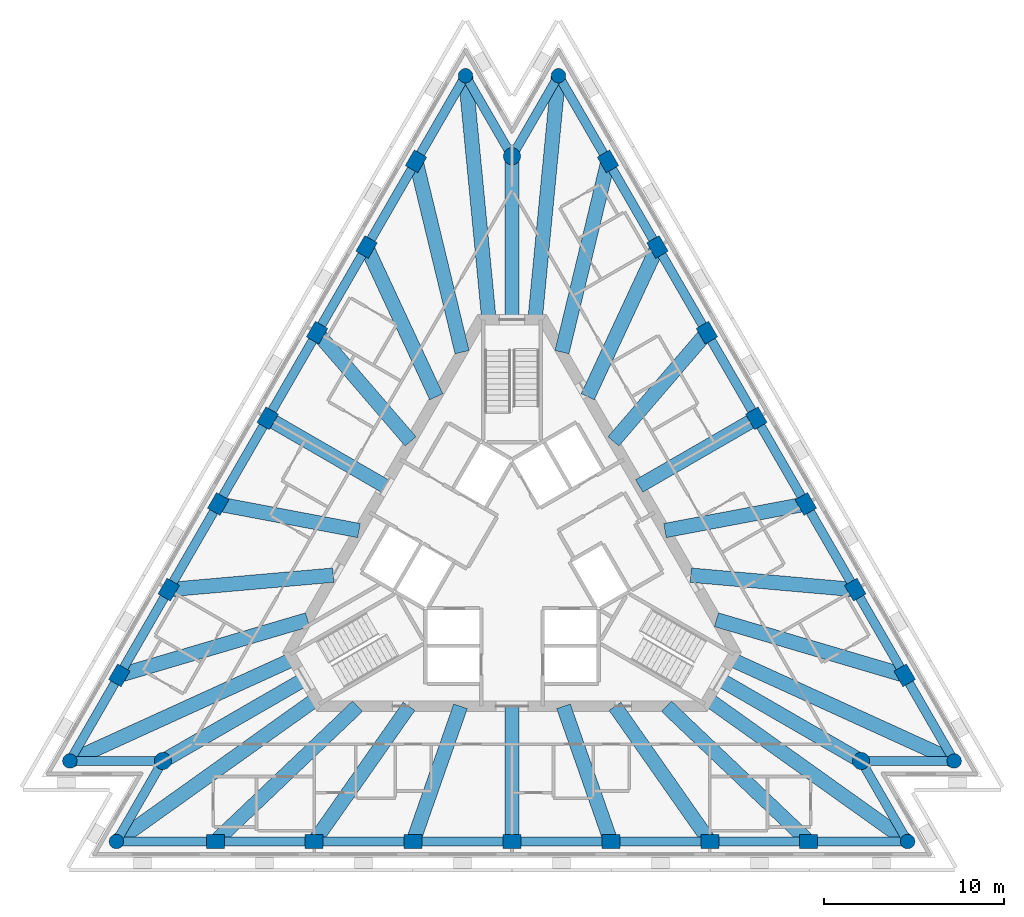
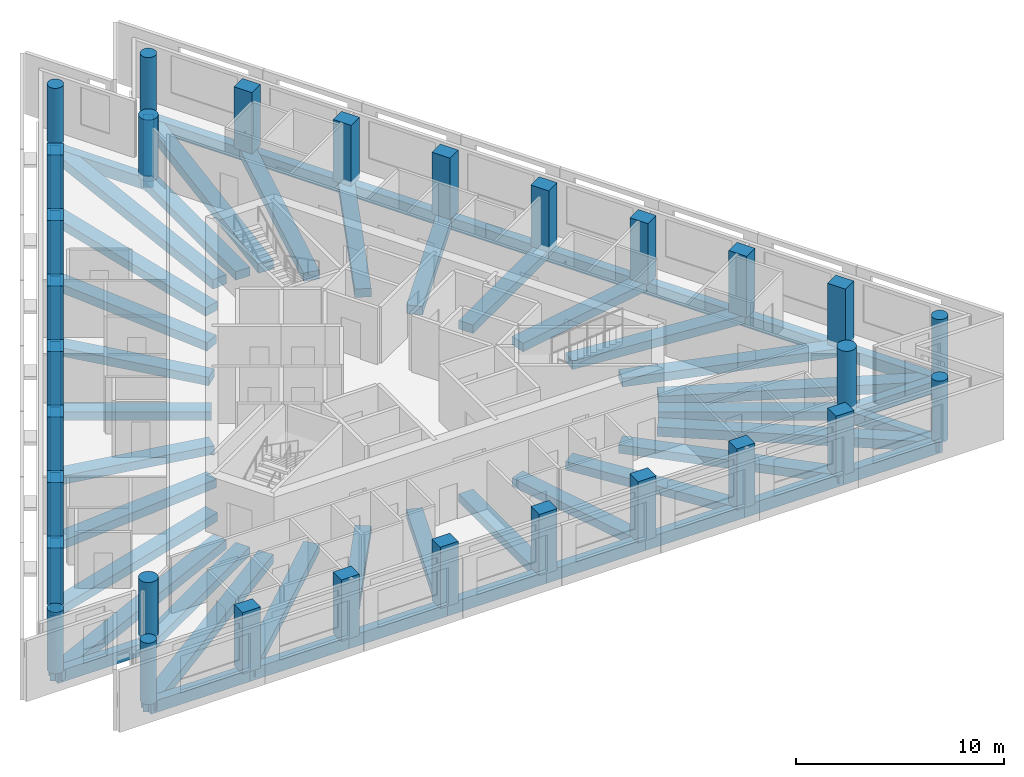
# One storey, part 1 of 9: 60 beams, 30 columns.
"""IFC4 building model written with IfcOpenShell, lengths in metres."""

from ifc_helpers import new_model, si_unit, direction, frame, origin, origin_2d, place, context, subcontext, project, spatial, rectangle, circle, extrude, material, material_profile, profile_set, type_object, element, save


model = new_model("IFC4")

# Units and contexts
model_context = context("Model", 3, precision=1e-05, world=origin(), true_north=direction((0.0, 1.0)))
body_context = subcontext(model_context, "Body", "Model", "MODEL_VIEW")
ifc_project = project(units=[si_unit("LENGTHUNIT", "METRE"), si_unit("AREAUNIT", "SQUARE_METRE"), si_unit("VOLUMEUNIT", "CUBIC_METRE"), si_unit("PLANEANGLEUNIT", "RADIAN"), si_unit("MASSUNIT", "GRAM", prefix="KILO")], contexts=[model_context])

# Site, building, storey
site_placement = place(None, origin())
site = spatial("IfcSite", under=ifc_project, at=site_placement, CompositionType="ELEMENT")
building_placement = place(site_placement, origin())
building = spatial("IfcBuilding", under=site, at=building_placement, Name="Triada Interchange Tower", CompositionType="ELEMENT")
storey_placement = place(building_placement, frame((0.0, 0.0, 279.10009765625)))
storey = spatial("IfcBuildingStorey", under=building, at=storey_placement, Name="L65", CompositionType="ELEMENT", Elevation=279.10009765625)

# Columns
ifc_material_1 = material(Name="Concrete C40/50", Category="concrete")
ifc_material_profile_1 = material_profile(ifc_material_1, rectangle(XDim=1.0, YDim=0.800048828125, at=origin_2d()), Name="RC 1000x800")
ifc_profile_set_1 = profile_set([ifc_material_profile_1], Name="Concrete C40/50")
column_type_1 = type_object("IfcColumnType", Name="Column D face RC 1000x800", PredefinedType="COLUMN", material=ifc_profile_set_1)
for number, where, z_axis, x_axis, name in (
    (1, (-5.324951171875, 22.0849609375, -0.300048828125), (0.0, 0.0, 1.0), (0.5, 0.866025403784, 0.0), "Column CD02 L65"),
    (2, (-8.069091796875, 17.3330078125, -0.300048828125), (0.0, 0.0, 1.0), (0.5, 0.866025403784, 0.0), "Column CD03 L65"),
    (3, (-10.81298828125, 12.580078125, -0.300048828125), (0.0, 0.0, 1.0), (0.5, 0.866025403784, 0.0), "Column CD04 L65"),
    (4, (-13.556884765625, 7.826904296875, -0.300048828125), (0.0, 0.0, 1.0), (0.5, 0.866025403784, 0.0), "Column CD05 L65"),
    (5, (-16.301025390625, 3.073974609375, -0.300048828125), (0.0, 0.0, 1.0), (0.5, 0.866025403784, 0.0), "Column CD06 L65"),
    (6, (-19.044921875, -1.677978515625, -0.300048828125), (0.0, 0.0, 1.0), (0.5, 0.866025403784, 0.0), "Column CD07 L65"),
    (7, (-21.7890625, -6.430908203125, -0.300048828125), (0.0, 0.0, 1.0), (0.5, 0.866025403784, 0.0), "Column CD08 L65"),
    (8, (-16.464111328125, -15.654052734375, -0.300048828125), (0.0, 0.0, 1.0), (1.0, 0.0, 0.0), "Column CD11 L65"),
    (9, (-10.97607421875, -15.654052734375, -0.300048828125), (0.0, 0.0, 1.0), (1.0, 0.0, 0.0), "Column CD12 L65"),
    (10, (-5.488037109375, -15.654052734375, -0.300048828125), (0.0, 0.0, 1.0), (1.0, 0.0, 0.0), "Column CD13 L65"),
    (11, (0.0, -15.654052734375, -0.300048828125), (0.0, 0.0, 1.0), (1.0, 0.0, 0.0), "Column CD14 L65"),
    (12, (5.488037109375, -15.654052734375, -0.300048828125), (0.0, 0.0, 1.0), (1.0, 0.0, 0.0), "Column CD15 L65"),
    (13, (10.97607421875, -15.654052734375, -0.300048828125), (0.0, 0.0, 1.0), (1.0, 0.0, 0.0), "Column CD16 L65"),
    (14, (16.464111328125, -15.654052734375, -0.300048828125), (0.0, 0.0, 1.0), (1.0, 0.0, 0.0), "Column CD17 L65"),
    (15, (21.7890625, -6.430908203125, -0.300048828125), (0.0, 0.0, 1.0), (-0.5, 0.866025403784, 0.0), "Column CD20 L65"),
    (16, (19.044921875, -1.677978515625, -0.300048828125), (0.0, 0.0, 1.0), (-0.5, 0.866025403784, 0.0), "Column CD21 L65"),
    (17, (16.301025390625, 3.073974609375, -0.300048828125), (0.0, 0.0, 1.0), (-0.5, 0.866025403784, 0.0), "Column CD22 L65"),
    (18, (13.556884765625, 7.826904296875, -0.300048828125), (0.0, 0.0, 1.0), (-0.5, 0.866025403784, 0.0), "Column CD23 L65"),
    (19, (10.81298828125, 12.580078125, -0.300048828125), (0.0, 0.0, 1.0), (-0.5, 0.866025403784, 0.0), "Column CD24 L65"),
    (20, (8.069091796875, 17.3330078125, -0.300048828125), (0.0, 0.0, 1.0), (-0.5, 0.866025403784, 0.0), "Column CD25 L65"),
    (21, (5.324951171875, 22.0849609375, -0.300048828125), (0.0, 0.0, 1.0), (-0.5, 0.866025403784, 0.0), "Column CD26 L65"),
):
    element("IfcColumn", number, at=place(storey_placement, frame(where, z_axis=z_axis, x_axis=x_axis)), inside=storey, type_object=column_type_1, Name=name, PredefinedType="COLUMN", context=body_context, shape_type="SweptSolid", body=[
        extrude(rectangle(XDim=1.0, YDim=0.800048828125, at=origin_2d()), origin(), (0.0, 0.0, 1.0), 3.599853515625),
    ])
ifc_material_profile_2 = material_profile(ifc_material_1, circle(Radius=0.39990234375, at=origin_2d()), Name="RC D800")
ifc_profile_set_2 = profile_set([ifc_material_profile_2], Name="Concrete C40/50")
column_type_2 = type_object("IfcColumnType", Name="End column D RC D800", PredefinedType="COLUMN", material=ifc_profile_set_2)
for number, where, z_axis, x_axis, name in (
    (22, (-2.5810546875, 26.837890625, -0.300048828125), (0.0, 0.0, 1.0), (0.5, 0.866025403784, 0.0), "Column CD01 L65"),
    (23, (-24.532958984375, -11.18408203125, -0.300048828125), (0.0, 0.0, 1.0), (0.5, 0.866025403784, 0.0), "Column CD09 L65"),
    (24, (-21.951904296875, -15.654052734375, -0.300048828125), (0.0, 0.0, 1.0), (1.0, 0.0, 0.0), "Column CD10 L65"),
    (25, (21.951904296875, -15.654052734375, -0.300048828125), (0.0, 0.0, 1.0), (1.0, 0.0, 0.0), "Column CD18 L65"),
    (26, (24.532958984375, -11.18408203125, -0.300048828125), (0.0, 0.0, 1.0), (-0.5, 0.866025403784, 0.0), "Column CD19 L65"),
    (27, (2.5810546875, 26.837890625, -0.300048828125), (0.0, 0.0, 1.0), (-0.5, 0.866025403784, 0.0), "Column CD27 L65"),
):
    element("IfcColumn", number, at=place(storey_placement, frame(where, z_axis=z_axis, x_axis=x_axis)), inside=storey, type_object=column_type_2, Name=name, PredefinedType="COLUMN", context=body_context, shape_type="SweptSolid", body=[
        extrude(circle(Radius=0.39990234375, at=origin_2d()), origin(), (0.0, 0.0, 1.0), 3.599853515625),
    ])
ifc_material_profile_3 = material_profile(ifc_material_1, circle(Radius=0.47509765625, at=origin_2d()), Name="RC D950")
ifc_profile_set_3 = profile_set([ifc_material_profile_3], Name="Concrete C40/50")
column_type_3 = type_object("IfcColumnType", Name="Mega column D RC D950", PredefinedType="COLUMN", material=ifc_profile_set_3)
for number, where, z_axis, x_axis, name in (
    (28, (0.0, 22.368896484375, -0.300048828125), (0.0, 0.0, 1.0), (1.0, 0.0, 0.0), "Column MD1 L65"),
    (29, (-19.3720703125, -11.18408203125, -0.300048828125), (0.0, 0.0, 1.0), (1.0, 0.0, 0.0), "Column MD2 L65"),
    (30, (19.3720703125, -11.18408203125, -0.300048828125), (0.0, 0.0, 1.0), (1.0, 0.0, 0.0), "Column MD3 L65"),
):
    element("IfcColumn", number, at=place(storey_placement, frame(where, z_axis=z_axis, x_axis=x_axis)), inside=storey, type_object=column_type_3, Name=name, PredefinedType="COLUMN", context=body_context, shape_type="SweptSolid", body=[
        extrude(circle(Radius=0.47509765625, at=origin_2d()), origin(), (0.0, 0.0, 1.0), 3.599853515625),
    ])

# Beams
ifc_material_2 = material(Name="Concrete C50/60", Category="concrete")
ifc_material_profile_4 = material_profile(ifc_material_2, rectangle(XDim=0.800048828125, YDim=0.5, at=origin_2d()), Name="RC 800x500")
ifc_profile_set_4 = profile_set([ifc_material_profile_4], Name="Concrete C50/60")
beam_type_1 = type_object("IfcBeamType", Name="Radial band beam D RC 800x500", PredefinedType="BEAM", material=ifc_profile_set_4)
beam_1_placement = place(storey_placement, frame((-5.324951171875, 22.0849609375, -0.550048828125), z_axis=(0.234425037452, -0.972134199489, 0.0), x_axis=(0.972134199489, 0.234425037452, 0.0)))
element("IfcBeam", 31, at=beam_1_placement, inside=storey, type_object=beam_type_1, Name="Radial band beam BD02 L65", PredefinedType="BEAM", context=body_context, shape_type="SweptSolid", body=[
    extrude(rectangle(XDim=0.800048828125, YDim=0.5, at=origin_2d()), origin(), (0.0, 0.0, 1.0), 10.890380859375),
])
beam_2_placement = place(storey_placement, frame((-8.069091796875, 17.3330078125, -0.550048828125), z_axis=(0.42204241395, -0.906576086618, 0.0), x_axis=(0.906576086618, 0.42204241395, 0.0)))
element("IfcBeam", 32, at=beam_2_placement, inside=storey, type_object=beam_type_1, Name="Radial band beam BD03 L65", PredefinedType="BEAM", context=body_context, shape_type="SweptSolid", body=[
    extrude(rectangle(XDim=0.800048828125, YDim=0.5, at=origin_2d()), origin(), (0.0, 0.0, 1.0), 9.165283203125),
])
beam_3_placement = place(storey_placement, frame((-10.81298828125, 12.580078125, -0.550048828125), z_axis=(0.651852544973, -0.758345738837, 0.0), x_axis=(0.758345738837, 0.651852544973, 0.0)))
element("IfcBeam", 33, at=beam_3_placement, inside=storey, type_object=beam_type_1, Name="Radial band beam BD04 L65", PredefinedType="BEAM", context=body_context, shape_type="SweptSolid", body=[
    extrude(rectangle(XDim=0.800048828125, YDim=0.5, at=origin_2d()), origin(), (0.0, 0.0, 1.0), 7.952880859375),
])
beam_4_placement = place(storey_placement, frame((-13.556884765625, 7.826904296875, -0.550048828125), z_axis=(0.86603226186, -0.499988121277, 0.0), x_axis=(0.499988121277, 0.86603226186, 0.0)))
element("IfcBeam", 34, at=beam_4_placement, inside=storey, type_object=beam_type_1, Name="Radial band beam BD05 L65", PredefinedType="BEAM", context=body_context, shape_type="SweptSolid", body=[
    extrude(rectangle(XDim=0.800048828125, YDim=0.5, at=origin_2d()), origin(), (0.0, 0.0, 1.0), 7.504150390625),
])
beam_5_placement = place(storey_placement, frame((-16.301025390625, 3.073974609375, -0.550048828125), z_axis=(0.982672101043, -0.185352479972, 0.0), x_axis=(0.185352479972, 0.982672101043, 0.0)))
element("IfcBeam", 35, at=beam_5_placement, inside=storey, type_object=beam_type_1, Name="Radial band beam BD06 L65", PredefinedType="BEAM", context=body_context, shape_type="SweptSolid", body=[
    extrude(rectangle(XDim=0.800048828125, YDim=0.5, at=origin_2d()), origin(), (0.0, 0.0, 1.0), 7.95166015625),
])
beam_6_placement = place(storey_placement, frame((-19.044921875, -1.677978515625, -0.550048828125), z_axis=(0.996145337016, 0.087718114098, 0.0), x_axis=(-0.087718114098, 0.996145337016, 0.0)))
element("IfcBeam", 36, at=beam_6_placement, inside=storey, type_object=beam_type_1, Name="Radial band beam BD07 L65", PredefinedType="BEAM", context=body_context, shape_type="SweptSolid", body=[
    extrude(rectangle(XDim=0.800048828125, YDim=0.5, at=origin_2d()), origin(), (0.0, 0.0, 1.0), 9.165283203125),
])
beam_7_placement = place(storey_placement, frame((-21.7890625, -6.430908203125, -0.550048828125), z_axis=(0.959093403857, 0.283089813802, 0.0), x_axis=(-0.283089813802, 0.959093403857, 0.0)))
element("IfcBeam", 37, at=beam_7_placement, inside=storey, type_object=beam_type_1, Name="Radial band beam BD08 L65", PredefinedType="BEAM", context=body_context, shape_type="SweptSolid", body=[
    extrude(rectangle(XDim=0.800048828125, YDim=0.5, at=origin_2d()), origin(), (0.0, 0.0, 1.0), 10.890625),
])
beam_8_placement = place(storey_placement, frame((-19.3720703125, -11.18408203125, -0.550048828125), z_axis=(0.866041235469, 0.499972577716, 0.0), x_axis=(-0.499972577716, 0.866041235469, 0.0)))
element("IfcBeam", 38, at=beam_8_placement, inside=storey, type_object=beam_type_1, Name="Radial band beam BD10 L65", PredefinedType="BEAM", context=body_context, shape_type="SweptSolid", body=[
    extrude(rectangle(XDim=0.800048828125, YDim=0.5, at=origin_2d()), origin(), (0.0, 0.0, 1.0), 9.06884765625),
])
beam_9_placement = place(storey_placement, frame((-16.464111328125, -15.654052734375, -0.550048828125), z_axis=(0.724693754634, 0.689071086314, 0.0), x_axis=(-0.689071086314, 0.724693754634, 0.0)))
element("IfcBeam", 39, at=beam_9_placement, inside=storey, type_object=beam_type_1, Name="Radial band beam BD12 L65", PredefinedType="BEAM", context=body_context, shape_type="SweptSolid", body=[
    extrude(rectangle(XDim=0.800048828125, YDim=0.5, at=origin_2d()), origin(), (0.0, 0.0, 1.0), 10.89013671875),
])
beam_10_placement = place(storey_placement, frame((-10.97607421875, -15.654052734375, -0.550048828125), z_axis=(0.574125420819, 0.818767366942, 0.0), x_axis=(-0.818767366942, 0.574125420819, 0.0)))
element("IfcBeam", 40, at=beam_10_placement, inside=storey, type_object=beam_type_1, Name="Radial band beam BD13 L65", PredefinedType="BEAM", context=body_context, shape_type="SweptSolid", body=[
    extrude(rectangle(XDim=0.800048828125, YDim=0.5, at=origin_2d()), origin(), (0.0, 0.0, 1.0), 9.165283203125),
])
beam_11_placement = place(storey_placement, frame((-5.488037109375, -15.654052734375, -0.550048828125), z_axis=(0.330871413108, 0.943675849001, 0.0), x_axis=(-0.943675849001, 0.330871413108, 0.0)))
element("IfcBeam", 41, at=beam_11_placement, inside=storey, type_object=beam_type_1, Name="Radial band beam BD14 L65", PredefinedType="BEAM", context=body_context, shape_type="SweptSolid", body=[
    extrude(rectangle(XDim=0.800048828125, YDim=0.5, at=origin_2d()), origin(), (0.0, 0.0, 1.0), 7.9521484375),
])
beam_12_placement = place(storey_placement, frame((0.0, -15.654052734375, -0.550048828125), z_axis=(0.0, 1.0, 0.0), x_axis=(-1.0, 0.0, 0.0)))
element("IfcBeam", 42, at=beam_12_placement, inside=storey, type_object=beam_type_1, Name="Radial band beam BD15 L65", PredefinedType="BEAM", context=body_context, shape_type="SweptSolid", body=[
    extrude(rectangle(XDim=0.800048828125, YDim=0.5, at=origin_2d()), origin(), (0.0, 0.0, 1.0), 7.504150390625),
])
beam_13_placement = place(storey_placement, frame((5.488037109375, -15.654052734375, -0.550048828125), z_axis=(-0.330871413108, 0.943675849001, 0.0), x_axis=(-0.943675849001, -0.330871413108, 0.0)))
element("IfcBeam", 43, at=beam_13_placement, inside=storey, type_object=beam_type_1, Name="Radial band beam BD16 L65", PredefinedType="BEAM", context=body_context, shape_type="SweptSolid", body=[
    extrude(rectangle(XDim=0.800048828125, YDim=0.5, at=origin_2d()), origin(), (0.0, 0.0, 1.0), 7.9521484375),
])
beam_14_placement = place(storey_placement, frame((10.97607421875, -15.654052734375, -0.550048828125), z_axis=(-0.574125420819, 0.818767366942, 0.0), x_axis=(-0.818767366942, -0.574125420819, 0.0)))
element("IfcBeam", 44, at=beam_14_placement, inside=storey, type_object=beam_type_1, Name="Radial band beam BD17 L65", PredefinedType="BEAM", context=body_context, shape_type="SweptSolid", body=[
    extrude(rectangle(XDim=0.800048828125, YDim=0.5, at=origin_2d()), origin(), (0.0, 0.0, 1.0), 9.165283203125),
])
beam_15_placement = place(storey_placement, frame((16.464111328125, -15.654052734375, -0.550048828125), z_axis=(-0.724693754634, 0.689071086314, 0.0), x_axis=(-0.689071086314, -0.724693754634, 0.0)))
element("IfcBeam", 45, at=beam_15_placement, inside=storey, type_object=beam_type_1, Name="Radial band beam BD18 L65", PredefinedType="BEAM", context=body_context, shape_type="SweptSolid", body=[
    extrude(rectangle(XDim=0.800048828125, YDim=0.5, at=origin_2d()), origin(), (0.0, 0.0, 1.0), 10.89013671875),
])
beam_16_placement = place(storey_placement, frame((19.3720703125, -11.18408203125, -0.550048828125), z_axis=(-0.866041235469, 0.499972577716, 0.0), x_axis=(-0.499972577716, -0.866041235469, 0.0)))
element("IfcBeam", 46, at=beam_16_placement, inside=storey, type_object=beam_type_1, Name="Radial band beam BD20 L65", PredefinedType="BEAM", context=body_context, shape_type="SweptSolid", body=[
    extrude(rectangle(XDim=0.800048828125, YDim=0.5, at=origin_2d()), origin(), (0.0, 0.0, 1.0), 9.06884765625),
])
beam_17_placement = place(storey_placement, frame((21.7890625, -6.430908203125, -0.550048828125), z_axis=(-0.959093403857, 0.283089813802, 0.0), x_axis=(-0.283089813802, -0.959093403857, 0.0)))
element("IfcBeam", 47, at=beam_17_placement, inside=storey, type_object=beam_type_1, Name="Radial band beam BD22 L65", PredefinedType="BEAM", context=body_context, shape_type="SweptSolid", body=[
    extrude(rectangle(XDim=0.800048828125, YDim=0.5, at=origin_2d()), origin(), (0.0, 0.0, 1.0), 10.890625),
])
beam_18_placement = place(storey_placement, frame((19.044921875, -1.677978515625, -0.550048828125), z_axis=(-0.996145337016, 0.087718114098, 0.0), x_axis=(-0.087718114098, -0.996145337016, 0.0)))
element("IfcBeam", 48, at=beam_18_placement, inside=storey, type_object=beam_type_1, Name="Radial band beam BD23 L65", PredefinedType="BEAM", context=body_context, shape_type="SweptSolid", body=[
    extrude(rectangle(XDim=0.800048828125, YDim=0.5, at=origin_2d()), origin(), (0.0, 0.0, 1.0), 9.165283203125),
])
beam_19_placement = place(storey_placement, frame((16.301025390625, 3.073974609375, -0.550048828125), z_axis=(-0.982672101043, -0.185352479972, 0.0), x_axis=(0.185352479972, -0.982672101043, 0.0)))
element("IfcBeam", 49, at=beam_19_placement, inside=storey, type_object=beam_type_1, Name="Radial band beam BD24 L65", PredefinedType="BEAM", context=body_context, shape_type="SweptSolid", body=[
    extrude(rectangle(XDim=0.800048828125, YDim=0.5, at=origin_2d()), origin(), (0.0, 0.0, 1.0), 7.95166015625),
])
beam_20_placement = place(storey_placement, frame((13.556884765625, 7.826904296875, -0.550048828125), z_axis=(-0.86603226186, -0.499988121277, 0.0), x_axis=(0.499988121277, -0.86603226186, 0.0)))
element("IfcBeam", 50, at=beam_20_placement, inside=storey, type_object=beam_type_1, Name="Radial band beam BD25 L65", PredefinedType="BEAM", context=body_context, shape_type="SweptSolid", body=[
    extrude(rectangle(XDim=0.800048828125, YDim=0.5, at=origin_2d()), origin(), (0.0, 0.0, 1.0), 7.504150390625),
])
beam_21_placement = place(storey_placement, frame((10.81298828125, 12.580078125, -0.550048828125), z_axis=(-0.651852544973, -0.758345738837, 0.0), x_axis=(0.758345738837, -0.651852544973, 0.0)))
element("IfcBeam", 51, at=beam_21_placement, inside=storey, type_object=beam_type_1, Name="Radial band beam BD26 L65", PredefinedType="BEAM", context=body_context, shape_type="SweptSolid", body=[
    extrude(rectangle(XDim=0.800048828125, YDim=0.5, at=origin_2d()), origin(), (0.0, 0.0, 1.0), 7.952880859375),
])
beam_22_placement = place(storey_placement, frame((8.069091796875, 17.3330078125, -0.550048828125), z_axis=(-0.42204241395, -0.906576086618, 0.0), x_axis=(0.906576086618, -0.42204241395, 0.0)))
element("IfcBeam", 52, at=beam_22_placement, inside=storey, type_object=beam_type_1, Name="Radial band beam BD27 L65", PredefinedType="BEAM", context=body_context, shape_type="SweptSolid", body=[
    extrude(rectangle(XDim=0.800048828125, YDim=0.5, at=origin_2d()), origin(), (0.0, 0.0, 1.0), 9.165283203125),
])
beam_23_placement = place(storey_placement, frame((5.324951171875, 22.0849609375, -0.550048828125), z_axis=(-0.234425037452, -0.972134199489, 0.0), x_axis=(0.972134199489, -0.234425037452, 0.0)))
element("IfcBeam", 53, at=beam_23_placement, inside=storey, type_object=beam_type_1, Name="Radial band beam BD28 L65", PredefinedType="BEAM", context=body_context, shape_type="SweptSolid", body=[
    extrude(rectangle(XDim=0.800048828125, YDim=0.5, at=origin_2d()), origin(), (0.0, 0.0, 1.0), 10.890380859375),
])
beam_24_placement = place(storey_placement, frame((0.0, 22.368896484375, -0.550048828125), z_axis=(0.0, -1.0, 0.0), x_axis=(1.0, 0.0, 0.0)))
element("IfcBeam", 54, at=beam_24_placement, inside=storey, type_object=beam_type_1, Name="Radial band beam BD30 L65", PredefinedType="BEAM", context=body_context, shape_type="SweptSolid", body=[
    extrude(rectangle(XDim=0.800048828125, YDim=0.5, at=origin_2d()), origin(), (0.0, 0.0, 1.0), 9.06884765625),
])
ifc_material_profile_5 = material_profile(ifc_material_2, rectangle(XDim=0.800048828125, YDim=0.550048828125, at=origin_2d()), Name="RC 800x550")
ifc_profile_set_5 = profile_set([ifc_material_profile_5], Name="Concrete C50/60")
beam_type_2 = type_object("IfcBeamType", Name="Radial band beam D RC 800x550", PredefinedType="BEAM", material=ifc_profile_set_5)
beam_25_placement = place(storey_placement, frame((-2.5810546875, 26.837890625, -0.5751953125), z_axis=(0.095733271747, -0.99540702262, 0.0), x_axis=(0.99540702262, 0.095733271747, 0.0)))
element("IfcBeam", 55, at=beam_25_placement, inside=storey, type_object=beam_type_2, Name="Radial band beam BD01 L65", PredefinedType="BEAM", context=body_context, shape_type="SweptSolid", body=[
    extrude(rectangle(XDim=0.800048828125, YDim=0.550048828125, at=origin_2d()), origin(), (0.0, 0.0, 1.0), 13.600341796875),
])
beam_26_placement = place(storey_placement, frame((-24.532958984375, -11.18408203125, -0.5751953125), z_axis=(0.909892520451, 0.414844068569, 0.0), x_axis=(-0.414844068569, 0.909892520451, 0.0)))
element("IfcBeam", 56, at=beam_26_placement, inside=storey, type_object=beam_type_2, Name="Radial band beam BD09 L65", PredefinedType="BEAM", context=body_context, shape_type="SweptSolid", body=[
    extrude(rectangle(XDim=0.800048828125, YDim=0.550048828125, at=origin_2d()), origin(), (0.0, 0.0, 1.0), 13.6005859375),
])
for number, where, z_axis, x_axis, name in (
    (57, (-21.951904296875, -15.654052734375, -0.5751953125), (0.814195346708, 0.580591024214, 0.0), (-0.580591024214, 0.814195346708, 0.0), "Radial band beam BD11 L65"),
    (58, (21.951904296875, -15.654052734375, -0.5751953125), (-0.814195346708, 0.580591024214, 0.0), (-0.580591024214, -0.814195346708, 0.0), "Radial band beam BD19 L65"),
):
    element("IfcBeam", number, at=place(storey_placement, frame(where, z_axis=z_axis, x_axis=x_axis)), inside=storey, type_object=beam_type_2, Name=name, PredefinedType="BEAM", context=body_context, shape_type="SweptSolid", body=[
        extrude(rectangle(XDim=0.800048828125, YDim=0.550048828125, at=origin_2d()), origin(), (0.0, 0.0, 1.0), 13.599853515625),
    ])
beam_27_placement = place(storey_placement, frame((24.532958984375, -11.18408203125, -0.5751953125), z_axis=(-0.909892520451, 0.414844068569, 0.0), x_axis=(-0.414844068569, -0.909892520451, 0.0)))
element("IfcBeam", 59, at=beam_27_placement, inside=storey, type_object=beam_type_2, Name="Radial band beam BD21 L65", PredefinedType="BEAM", context=body_context, shape_type="SweptSolid", body=[
    extrude(rectangle(XDim=0.800048828125, YDim=0.550048828125, at=origin_2d()), origin(), (0.0, 0.0, 1.0), 13.6005859375),
])
beam_28_placement = place(storey_placement, frame((2.5810546875, 26.837890625, -0.5751953125), z_axis=(-0.095733271747, -0.99540702262, 0.0), x_axis=(0.99540702262, -0.095733271747, 0.0)))
element("IfcBeam", 60, at=beam_28_placement, inside=storey, type_object=beam_type_2, Name="Radial band beam BD29 L65", PredefinedType="BEAM", context=body_context, shape_type="SweptSolid", body=[
    extrude(rectangle(XDim=0.800048828125, YDim=0.550048828125, at=origin_2d()), origin(), (0.0, 0.0, 1.0), 13.600341796875),
])
ifc_material_profile_6 = material_profile(ifc_material_2, rectangle(XDim=0.5, YDim=0.699951171875, at=origin_2d()), Name="RC 500x700")
ifc_profile_set_6 = profile_set([ifc_material_profile_6], Name="Concrete C50/60")
beam_type_3 = type_object("IfcBeamType", Name="Spandrel beam D RC 500x700", PredefinedType="BEAM", material=ifc_profile_set_6)
beam_29_placement = place(storey_placement, frame((-2.5810546875, 26.837890625, -0.650146484375), z_axis=(-0.499971472108, -0.866041873744, 0.0), x_axis=(0.866041873744, -0.499971472108, 0.0)))
element("IfcBeam", 61, at=beam_29_placement, inside=storey, type_object=beam_type_3, Name="Spandrel beam ED01 L65", PredefinedType="BEAM", context=body_context, shape_type="SweptSolid", body=[
    extrude(rectangle(XDim=0.5, YDim=0.699951171875, at=origin_2d()), origin(), (0.0, 0.0, 1.0), 5.488037109375),
])
beam_30_placement = place(storey_placement, frame((-5.324951171875, 22.0849609375, -0.650146484375), z_axis=(-0.500081895979, -0.865978115955, 0.0), x_axis=(0.865978115955, -0.500081895979, 0.0)))
element("IfcBeam", 62, at=beam_30_placement, inside=storey, type_object=beam_type_3, Name="Spandrel beam ED02 L65", PredefinedType="BEAM", context=body_context, shape_type="SweptSolid", body=[
    extrude(rectangle(XDim=0.5, YDim=0.699951171875, at=origin_2d()), origin(), (0.0, 0.0, 1.0), 5.4873046875),
])
beam_31_placement = place(storey_placement, frame((-8.069091796875, 17.3330078125, -0.650146484375), z_axis=(-0.499971472108, -0.866041873744, 0.0), x_axis=(0.866041873744, -0.499971472108, 0.0)))
element("IfcBeam", 63, at=beam_31_placement, inside=storey, type_object=beam_type_3, Name="Spandrel beam ED03 L65", PredefinedType="BEAM", context=body_context, shape_type="SweptSolid", body=[
    extrude(rectangle(XDim=0.5, YDim=0.699951171875, at=origin_2d()), origin(), (0.0, 0.0, 1.0), 5.488037109375),
])
for number, where, z_axis, x_axis, name in (
    (64, (-10.81298828125, 12.580078125, -0.650146484375), (-0.499952210714, -0.866052993184, 0.0), (0.866052993184, -0.499952210714, 0.0), "Spandrel beam ED04 L65"),
    (65, (-13.556884765625, 7.826904296875, -0.650146484375), (-0.500004836318, -0.866022611517, 0.0), (0.866022611517, -0.500004836318, 0.0), "Spandrel beam ED05 L65"),
):
    element("IfcBeam", number, at=place(storey_placement, frame(where, z_axis=z_axis, x_axis=x_axis)), inside=storey, type_object=beam_type_3, Name=name, PredefinedType="BEAM", context=body_context, shape_type="SweptSolid", body=[
        extrude(rectangle(XDim=0.5, YDim=0.699951171875, at=origin_2d()), origin(), (0.0, 0.0, 1.0), 5.48828125),
    ])
beam_32_placement = place(storey_placement, frame((-16.301025390625, 3.073974609375, -0.650146484375), z_axis=(-0.500048530056, -0.865997383131, 0.0), x_axis=(0.865997383131, -0.500048530056, 0.0)))
element("IfcBeam", 66, at=beam_32_placement, inside=storey, type_object=beam_type_3, Name="Spandrel beam ED06 L65", PredefinedType="BEAM", context=body_context, shape_type="SweptSolid", body=[
    extrude(rectangle(XDim=0.5, YDim=0.699951171875, at=origin_2d()), origin(), (0.0, 0.0, 1.0), 5.4873046875),
])
for number, where, z_axis, x_axis, name in (
    (67, (-19.044921875, -1.677978515625, -0.650146484375), (-0.500004836318, -0.866022611517, 0.0), (0.866022611517, -0.500004836318, 0.0), "Spandrel beam ED07 L65"),
    (68, (-21.7890625, -6.430908203125, -0.650146484375), (-0.499952210714, -0.866052993184, 0.0), (0.866052993184, -0.499952210714, 0.0), "Spandrel beam ED08 L65"),
):
    element("IfcBeam", number, at=place(storey_placement, frame(where, z_axis=z_axis, x_axis=x_axis)), inside=storey, type_object=beam_type_3, Name=name, PredefinedType="BEAM", context=body_context, shape_type="SweptSolid", body=[
        extrude(rectangle(XDim=0.5, YDim=0.699951171875, at=origin_2d()), origin(), (0.0, 0.0, 1.0), 5.48828125),
    ])
beam_33_placement = place(storey_placement, frame((-24.532958984375, -11.18408203125, -0.650146484375), z_axis=(1.0, 0.0, 0.0), x_axis=(0.0, 1.0, 0.0)))
element("IfcBeam", 69, at=beam_33_placement, inside=storey, type_object=beam_type_3, Name="Spandrel beam ED09 L65", PredefinedType="BEAM", context=body_context, shape_type="SweptSolid", body=[
    extrude(rectangle(XDim=0.5, YDim=0.699951171875, at=origin_2d()), origin(), (0.0, 0.0, 1.0), 5.160888671875),
])
beam_34_placement = place(storey_placement, frame((-19.3720703125, -11.18408203125, -0.650146484375), z_axis=(-0.499868508103, -0.866101307358, 0.0), x_axis=(0.866101307358, -0.499868508103, 0.0)))
element("IfcBeam", 70, at=beam_34_placement, inside=storey, type_object=beam_type_3, Name="Spandrel beam ED10 L65", PredefinedType="BEAM", context=body_context, shape_type="SweptSolid", body=[
    extrude(rectangle(XDim=0.5, YDim=0.699951171875, at=origin_2d()), origin(), (0.0, 0.0, 1.0), 5.1611328125),
])
beam_35_placement = place(storey_placement, frame((-21.951904296875, -15.654052734375, -0.650146484375), z_axis=(1.0, 0.0, 0.0), x_axis=(0.0, 1.0, 0.0)))
element("IfcBeam", 71, at=beam_35_placement, inside=storey, type_object=beam_type_3, Name="Spandrel beam ED11 L65", PredefinedType="BEAM", context=body_context, shape_type="SweptSolid", body=[
    extrude(rectangle(XDim=0.5, YDim=0.699951171875, at=origin_2d()), origin(), (0.0, 0.0, 1.0), 5.48779296875),
])
for number, where, z_axis, x_axis, name in (
    (72, (-16.464111328125, -15.654052734375, -0.650146484375), (1.0, 0.0, 0.0), (0.0, 1.0, 0.0), "Spandrel beam ED12 L65"),
    (73, (-10.97607421875, -15.654052734375, -0.650146484375), (1.0, 0.0, 0.0), (0.0, 1.0, 0.0), "Spandrel beam ED13 L65"),
    (74, (-5.488037109375, -15.654052734375, -0.650146484375), (1.0, 0.0, 0.0), (0.0, 1.0, 0.0), "Spandrel beam ED14 L65"),
    (75, (0.0, -15.654052734375, -0.650146484375), (1.0, 0.0, 0.0), (0.0, 1.0, 0.0), "Spandrel beam ED15 L65"),
    (76, (5.488037109375, -15.654052734375, -0.650146484375), (1.0, 0.0, 0.0), (0.0, 1.0, 0.0), "Spandrel beam ED16 L65"),
    (77, (10.97607421875, -15.654052734375, -0.650146484375), (1.0, 0.0, 0.0), (0.0, 1.0, 0.0), "Spandrel beam ED17 L65"),
):
    element("IfcBeam", number, at=place(storey_placement, frame(where, z_axis=z_axis, x_axis=x_axis)), inside=storey, type_object=beam_type_3, Name=name, PredefinedType="BEAM", context=body_context, shape_type="SweptSolid", body=[
        extrude(rectangle(XDim=0.5, YDim=0.699951171875, at=origin_2d()), origin(), (0.0, 0.0, 1.0), 5.488037109375),
    ])
beam_36_placement = place(storey_placement, frame((16.464111328125, -15.654052734375, -0.650146484375), z_axis=(1.0, 0.0, 0.0), x_axis=(0.0, 1.0, 0.0)))
element("IfcBeam", 78, at=beam_36_placement, inside=storey, type_object=beam_type_3, Name="Spandrel beam ED18 L65", PredefinedType="BEAM", context=body_context, shape_type="SweptSolid", body=[
    extrude(rectangle(XDim=0.5, YDim=0.699951171875, at=origin_2d()), origin(), (0.0, 0.0, 1.0), 5.48779296875),
])
beam_37_placement = place(storey_placement, frame((21.951904296875, -15.654052734375, -0.650146484375), z_axis=(-0.499868508103, 0.866101307358, 0.0), x_axis=(-0.866101307358, -0.499868508103, 0.0)))
element("IfcBeam", 79, at=beam_37_placement, inside=storey, type_object=beam_type_3, Name="Spandrel beam ED19 L65", PredefinedType="BEAM", context=body_context, shape_type="SweptSolid", body=[
    extrude(rectangle(XDim=0.5, YDim=0.699951171875, at=origin_2d()), origin(), (0.0, 0.0, 1.0), 5.1611328125),
])
beam_38_placement = place(storey_placement, frame((19.3720703125, -11.18408203125, -0.650146484375), z_axis=(1.0, 0.0, 0.0), x_axis=(0.0, 1.0, 0.0)))
element("IfcBeam", 80, at=beam_38_placement, inside=storey, type_object=beam_type_3, Name="Spandrel beam ED20 L65", PredefinedType="BEAM", context=body_context, shape_type="SweptSolid", body=[
    extrude(rectangle(XDim=0.5, YDim=0.699951171875, at=origin_2d()), origin(), (0.0, 0.0, 1.0), 5.160888671875),
])
for number, where, z_axis, x_axis, name in (
    (81, (24.532958984375, -11.18408203125, -0.650146484375), (-0.499952210714, 0.866052993184, 0.0), (-0.866052993184, -0.499952210714, 0.0), "Spandrel beam ED21 L65"),
    (82, (21.7890625, -6.430908203125, -0.650146484375), (-0.500004836318, 0.866022611517, 0.0), (-0.866022611517, -0.500004836318, 0.0), "Spandrel beam ED22 L65"),
):
    element("IfcBeam", number, at=place(storey_placement, frame(where, z_axis=z_axis, x_axis=x_axis)), inside=storey, type_object=beam_type_3, Name=name, PredefinedType="BEAM", context=body_context, shape_type="SweptSolid", body=[
        extrude(rectangle(XDim=0.5, YDim=0.699951171875, at=origin_2d()), origin(), (0.0, 0.0, 1.0), 5.48828125),
    ])
beam_39_placement = place(storey_placement, frame((19.044921875, -1.677978515625, -0.650146484375), z_axis=(-0.500048530056, 0.865997383131, 0.0), x_axis=(-0.865997383131, -0.500048530056, 0.0)))
element("IfcBeam", 83, at=beam_39_placement, inside=storey, type_object=beam_type_3, Name="Spandrel beam ED23 L65", PredefinedType="BEAM", context=body_context, shape_type="SweptSolid", body=[
    extrude(rectangle(XDim=0.5, YDim=0.699951171875, at=origin_2d()), origin(), (0.0, 0.0, 1.0), 5.4873046875),
])
for number, where, z_axis, x_axis, name in (
    (84, (16.301025390625, 3.073974609375, -0.650146484375), (-0.500004836318, 0.866022611517, 0.0), (-0.866022611517, -0.500004836318, 0.0), "Spandrel beam ED24 L65"),
    (85, (13.556884765625, 7.826904296875, -0.650146484375), (-0.499952210714, 0.866052993184, 0.0), (-0.866052993184, -0.499952210714, 0.0), "Spandrel beam ED25 L65"),
):
    element("IfcBeam", number, at=place(storey_placement, frame(where, z_axis=z_axis, x_axis=x_axis)), inside=storey, type_object=beam_type_3, Name=name, PredefinedType="BEAM", context=body_context, shape_type="SweptSolid", body=[
        extrude(rectangle(XDim=0.5, YDim=0.699951171875, at=origin_2d()), origin(), (0.0, 0.0, 1.0), 5.48828125),
    ])
beam_40_placement = place(storey_placement, frame((10.81298828125, 12.580078125, -0.650146484375), z_axis=(-0.499971472108, 0.866041873744, 0.0), x_axis=(-0.866041873744, -0.499971472108, 0.0)))
element("IfcBeam", 86, at=beam_40_placement, inside=storey, type_object=beam_type_3, Name="Spandrel beam ED26 L65", PredefinedType="BEAM", context=body_context, shape_type="SweptSolid", body=[
    extrude(rectangle(XDim=0.5, YDim=0.699951171875, at=origin_2d()), origin(), (0.0, 0.0, 1.0), 5.488037109375),
])
beam_41_placement = place(storey_placement, frame((8.069091796875, 17.3330078125, -0.650146484375), z_axis=(-0.500081895979, 0.865978115955, 0.0), x_axis=(-0.865978115955, -0.500081895979, 0.0)))
element("IfcBeam", 87, at=beam_41_placement, inside=storey, type_object=beam_type_3, Name="Spandrel beam ED27 L65", PredefinedType="BEAM", context=body_context, shape_type="SweptSolid", body=[
    extrude(rectangle(XDim=0.5, YDim=0.699951171875, at=origin_2d()), origin(), (0.0, 0.0, 1.0), 5.4873046875),
])
beam_42_placement = place(storey_placement, frame((5.324951171875, 22.0849609375, -0.650146484375), z_axis=(-0.499971472108, 0.866041873744, 0.0), x_axis=(-0.866041873744, -0.499971472108, 0.0)))
element("IfcBeam", 88, at=beam_42_placement, inside=storey, type_object=beam_type_3, Name="Spandrel beam ED28 L65", PredefinedType="BEAM", context=body_context, shape_type="SweptSolid", body=[
    extrude(rectangle(XDim=0.5, YDim=0.699951171875, at=origin_2d()), origin(), (0.0, 0.0, 1.0), 5.488037109375),
])
for number, where, z_axis, x_axis, name in (
    (89, (2.5810546875, 26.837890625, -0.650146484375), (-0.500127840884, -0.865951582234, 0.0), (0.865951582234, -0.500127840884, 0.0), "Spandrel beam ED29 L65"),
    (90, (0.0, 22.368896484375, -0.650146484375), (-0.500127840884, 0.865951582234, 0.0), (-0.865951582234, -0.500127840884, 0.0), "Spandrel beam ED30 L65"),
):
    element("IfcBeam", number, at=place(storey_placement, frame(where, z_axis=z_axis, x_axis=x_axis)), inside=storey, type_object=beam_type_3, Name=name, PredefinedType="BEAM", context=body_context, shape_type="SweptSolid", body=[
        extrude(rectangle(XDim=0.5, YDim=0.699951171875, at=origin_2d()), origin(), (0.0, 0.0, 1.0), 5.160888671875),
    ])

save(model, "model.ifc")
